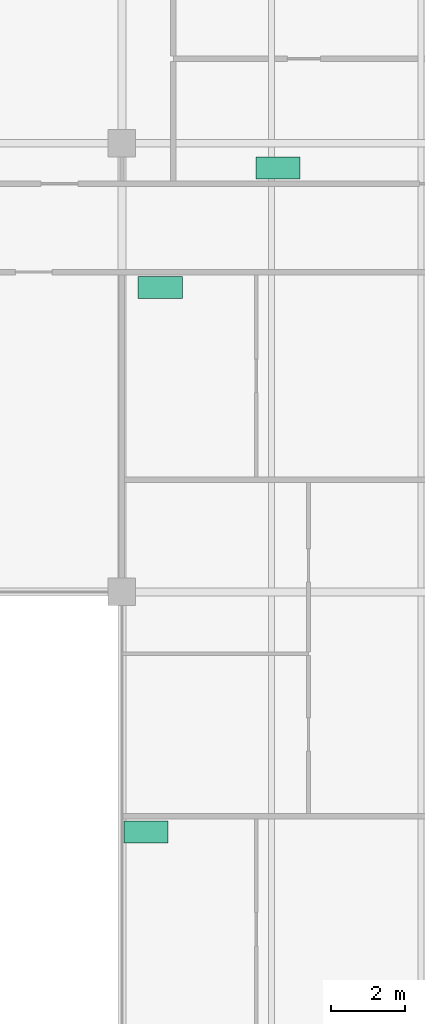
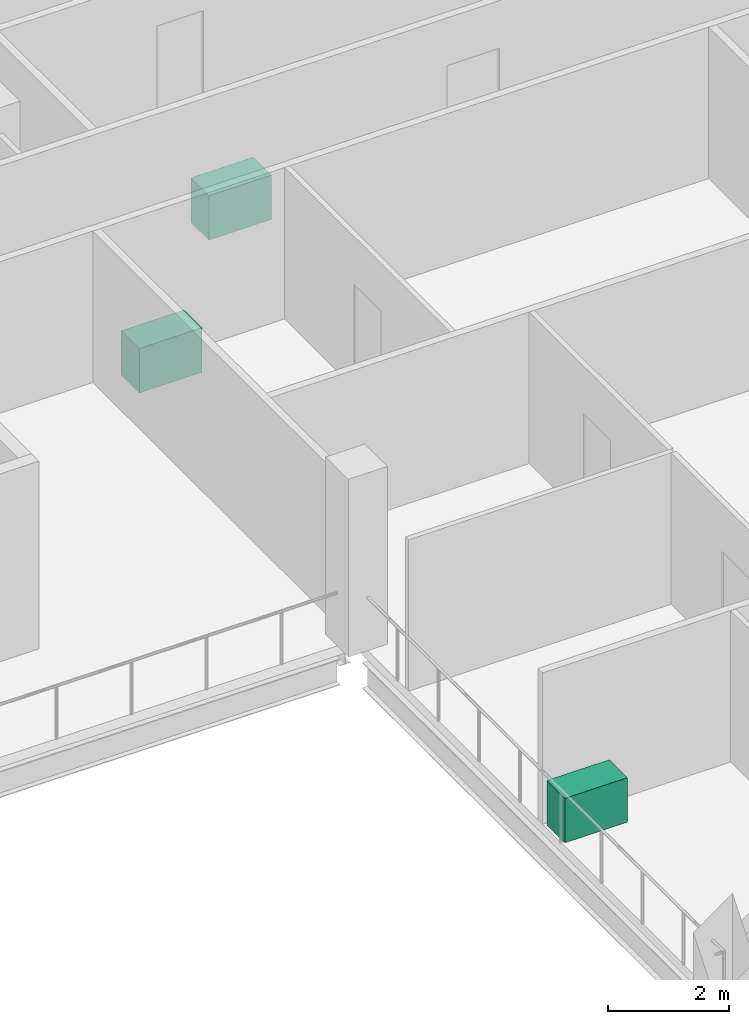
# One storey, part 12 of 12: 3 sanitary terminals.
"""IFC4 building model written with IfcOpenShell, lengths in metres."""

from ifc_helpers import new_model, si_unit, direction, frame, origin, origin_2d, place, context, subcontext, project, spatial, rectangle, extrude, material, type_object, element, save


model = new_model("IFC4")

# Units and contexts
model_context = context("Model", 3, precision=1e-05, world=origin(), true_north=direction((0.0, 1.0)))
body_context = subcontext(model_context, "Body", "Model", "MODEL_VIEW")
ifc_project = project(units=[si_unit("LENGTHUNIT", "METRE"), si_unit("AREAUNIT", "SQUARE_METRE"), si_unit("VOLUMEUNIT", "CUBIC_METRE"), si_unit("PLANEANGLEUNIT", "RADIAN"), si_unit("MASSUNIT", "GRAM", prefix="KILO")], contexts=[model_context])

# Site, building, storey
site_placement = place(None, origin())
site = spatial("IfcSite", under=ifc_project, at=site_placement, CompositionType="ELEMENT")
building_placement = place(site_placement, origin())
building = spatial("IfcBuilding", under=site, at=building_placement, Name="Tessera Gate Towers", CompositionType="ELEMENT")
storey_placement = place(building_placement, frame((0.0, 0.0, 159.199951171875)))
storey = spatial("IfcBuildingStorey", under=building, at=storey_placement, Name="L39", CompositionType="ELEMENT", Elevation=159.199951171875)

# Sanitary terminals
ifc_material = material(Name="Vitreous china")
sanitary_terminal_type = type_object("IfcSanitaryTerminalType", Name="LABORATORY SINK 1200x600", PredefinedType="SINK", material=ifc_material)
for number, where, z_axis, x_axis, name in (
    (1, (16.449951171875, 48.125, 0.0), (0.0, 0.0, 1.0), (1.0, 0.0, 0.0), "Laboratory sink"),
    (2, (12.85009765625, 30.074951171875, 0.0), (0.0, 0.0, 1.0), (1.0, 0.0, 0.0), "Laboratory sink"),
    (3, (13.241943359375, 44.875, 0.0), (0.0, 0.0, 1.0), (1.0, 0.0, 0.0), "Laboratory sink"),
):
    element("IfcSanitaryTerminal", number, at=place(storey_placement, frame(where, z_axis=z_axis, x_axis=x_axis)), inside=storey, type_object=sanitary_terminal_type, Name=name, PredefinedType="SINK", context=body_context, shape_type="SweptSolid", body=[
        extrude(rectangle(XDim=1.199951171875, YDim=0.60009765625, at=origin_2d()), origin(), (0.0, 0.0, 1.0), 0.89990234375),
    ])

save(model, "model.ifc")
